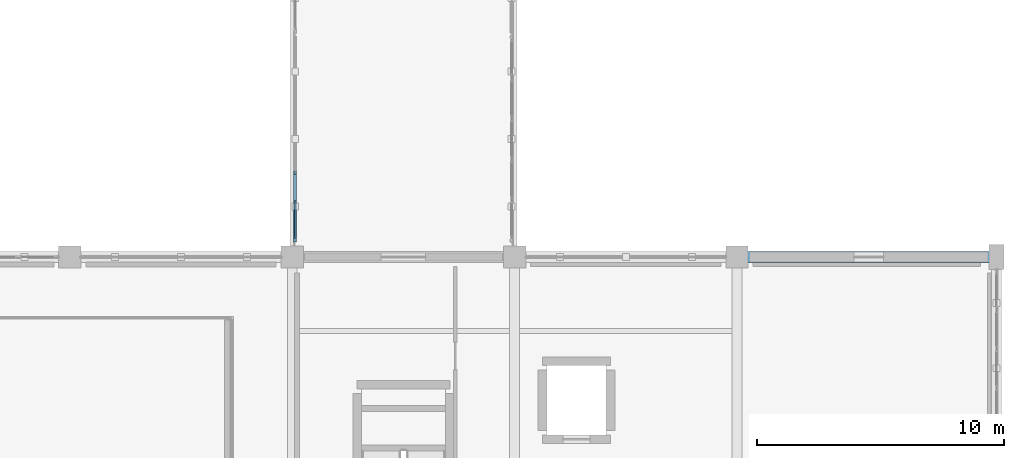
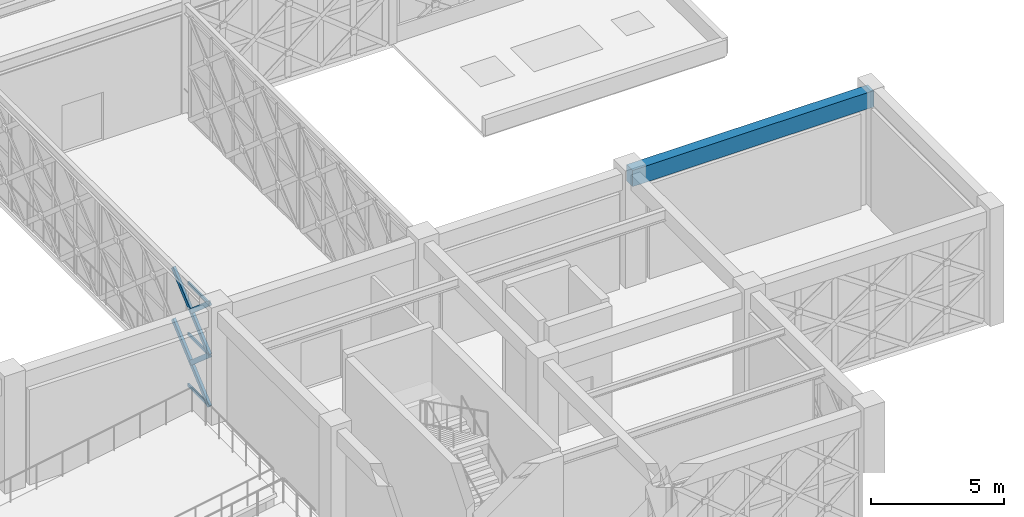
# One storey, part 104 of 166: 7 members, 1 beam, 1 element without a shape of its own.
"""IFC4 building model written with IfcOpenShell, lengths in metres."""

from ifc_helpers import new_model, si_unit, direction, frame, origin, origin_2d, place, context, subcontext, project, spatial, rectangle, hollow_rectangle, extrude, material, material_profile, profile_set, type_object, element, aggregate, save


model = new_model("IFC4")

# Units and contexts
model_context = context("Model", 3, precision=1e-05, world=origin(), true_north=direction((0.0, 1.0)))
body_context = subcontext(model_context, "Body", "Model", "MODEL_VIEW")
ifc_project = project(units=[si_unit("LENGTHUNIT", "METRE"), si_unit("AREAUNIT", "SQUARE_METRE"), si_unit("VOLUMEUNIT", "CUBIC_METRE"), si_unit("PLANEANGLEUNIT", "RADIAN"), si_unit("MASSUNIT", "GRAM", prefix="KILO")], contexts=[model_context])

# Site, building, storey
site_placement = place(None, origin())
site = spatial("IfcSite", under=ifc_project, at=site_placement, CompositionType="ELEMENT")
building_placement = place(site_placement, origin())
building = spatial("IfcBuilding", under=site, at=building_placement, Name="Haizhuo Lancet Aquarium", CompositionType="ELEMENT")
storey_placement = place(building_placement, frame((0.0, 0.0, 5.39990234375)))
storey = spatial("IfcBuildingStorey", under=building, at=storey_placement, Name="L01", CompositionType="ELEMENT", Elevation=5.39990234375)

# Beam
ifc_material_1 = material(Name="Concrete C40/50", Category="concrete")
ifc_material_profile_1 = material_profile(ifc_material_1, rectangle(XDim=0.449951171875, YDim=0.75, at=origin_2d()), Name="RC-BM 450x750")
ifc_profile_set_1 = profile_set([ifc_material_profile_1], Name="Concrete C40/50")
beam_type = type_object("IfcBeamType", Name="BM-RC-450x750", PredefinedType="BEAM", material=ifc_profile_set_1)
beam_placement = place(storey_placement, frame((72.0, -9.0, 4.76513671875), z_axis=(1.0, 0.0, 0.0), x_axis=(0.0, 1.0, 0.0)))
element("IfcBeam", 1, at=beam_placement, inside=storey, type_object=beam_type, Name="L01 V3 primary girder BM-L01-V3-030", PredefinedType="BEAM", context=body_context, shape_type="SweptSolid", body=[
    extrude(rectangle(XDim=0.449951171875, YDim=0.75, at=origin_2d()), origin(), (0.0, 0.0, 1.0), 10.5),
])

# Curtain wall, members
ifc_material_2 = material(Name="Aluminium 6063-T6", Category="aluminium")
curtain_wall_type = type_object("IfcCurtainWallType", Name="CWO-8200x4750", PredefinedType="NOTDEFINED", material=ifc_material_2)
curtain_wall_placement = place(storey_placement, origin())
curtain_wall = element("IfcCurtainWall", 2, at=curtain_wall_placement, inside=storey, type_object=curtain_wall_type, Name="L01 curtain wall CW-SB-02-W1", PredefinedType="NOTDEFINED")
ifc_material_profile_2 = material_profile(ifc_material_2, hollow_rectangle(XDim=0.06494140625, YDim=0.139892578125, WallThickness=0.00390625, at=origin_2d()), Name="ALU-T 65x140x4")
ifc_profile_set_2 = profile_set([ifc_material_profile_2], Name="Aluminium 6063-T6")
member_type_1 = type_object("IfcMemberType", Name="CW-TRN-1", PredefinedType="NOTDEFINED", material=ifc_profile_set_2)
member_1_placement = place(storey_placement, frame((54.1201171875, -8.2548828125, 0.033203125), z_axis=(0.0, 1.0, 0.0), x_axis=(-1.0, 0.0, 0.0)))
member_1 = element("IfcMember", 3, at=member_1_placement, type_object=member_type_1, Name="CWO-82x47 transom 1.1", ObjectType="TRANSOM", PredefinedType="USERDEFINED", context=body_context, shape_type="SweptSolid", body=[
    extrude(hollow_rectangle(XDim=0.06494140625, YDim=0.139892578125, WallThickness=0.00390625, at=origin_2d()), origin(), (0.0, 0.0, 1.0), 1.5419921875),
])
member_2_placement = place(storey_placement, frame((54.1201171875, -8.2548828125, 2.375), z_axis=(0.0, 1.0, 0.0), x_axis=(-1.0, 0.0, 0.0)))
member_2 = element("IfcMember", 4, at=member_2_placement, type_object=member_type_1, Name="CWO-82x47 transom 1.2", ObjectType="TRANSOM", PredefinedType="USERDEFINED", context=body_context, shape_type="SweptSolid", body=[
    extrude(hollow_rectangle(XDim=0.06494140625, YDim=0.139892578125, WallThickness=0.00390625, at=origin_2d()), origin(), (0.0, 0.0, 1.0), 1.5419921875),
])
member_3_placement = place(storey_placement, frame((54.1201171875, -8.2548828125, 4.717041015625), z_axis=(0.0, 1.0, 0.0), x_axis=(-1.0, 0.0, 0.0)))
member_3 = element("IfcMember", 5, at=member_3_placement, type_object=member_type_1, Name="CWO-82x47 transom 1.3", ObjectType="TRANSOM", PredefinedType="USERDEFINED", context=body_context, shape_type="SweptSolid", body=[
    extrude(hollow_rectangle(XDim=0.06494140625, YDim=0.139892578125, WallThickness=0.00390625, at=origin_2d()), origin(), (0.0, 0.0, 1.0), 1.5419921875),
])
aggregate(curtain_wall, [member_1, member_2, member_3])

# Members
ifc_material_3 = material(Name="Steel S355", Category="steel")
ifc_material_profile_3 = material_profile(ifc_material_3, hollow_rectangle(XDim=0.1201171875, YDim=0.199951171875, WallThickness=0.008056640625, at=origin_2d()), Name="RHS 120x200x8")
ifc_profile_set_3 = profile_set([ifc_material_profile_3], Name="Steel S355")
member_type_2 = type_object("IfcMemberType", Name="MEM-LB-RHS120x200", PredefinedType="BRACE", material=ifc_profile_set_3)
member_4_placement = place(storey_placement, frame((54.1201171875, -8.320068359375, 0.0), z_axis=(0.0, 0.754831923432, 0.655918262719), x_axis=(-1.0, 0.0, 0.0)))
element("IfcMember", 6, at=member_4_placement, inside=storey, type_object=member_type_2, Name="Gothic lancet continuous diagonal brace CW-SB-02-W1 1A", PredefinedType="BRACE", context=body_context, shape_type="SweptSolid", body=[
    extrude(hollow_rectangle(XDim=0.1201171875, YDim=0.199951171875, WallThickness=0.008056640625, at=origin_2d()), origin(), (0.0, 0.0, 1.0), 3.620849609375),
])
member_5_placement = place(storey_placement, frame((54.1201171875, -6.9541015625, 1.18798828125), z_axis=(0.0, -0.754820407976, 0.655931514491), x_axis=(1.0, 0.0, 0.0)))
element("IfcMember", 7, at=member_5_placement, inside=storey, type_object=member_type_2, Name="Gothic lancet split diagonal brace CW-SB-02-W1 1B2", PredefinedType="BRACE", context=body_context, shape_type="SweptSolid", body=[
    extrude(hollow_rectangle(XDim=0.1201171875, YDim=0.199951171875, WallThickness=0.008056640625, at=origin_2d()), origin(), (0.0, 0.0, 1.0), 1.8095703125),
])
member_6_placement = place(storey_placement, frame((54.1201171875, -8.320068359375, 2.375), z_axis=(0.0, 0.754831923432, 0.655918262719), x_axis=(-1.0, 0.0, 0.0)))
element("IfcMember", 8, at=member_6_placement, inside=storey, type_object=member_type_2, Name="Gothic lancet continuous diagonal brace CW-SB-02-W1 2A", PredefinedType="BRACE", context=body_context, shape_type="SweptSolid", body=[
    extrude(hollow_rectangle(XDim=0.1201171875, YDim=0.199951171875, WallThickness=0.008056640625, at=origin_2d()), origin(), (0.0, 0.0, 1.0), 3.620849609375),
])
member_7_placement = place(storey_placement, frame((54.1201171875, -6.9541015625, 3.56298828125), z_axis=(0.0, -0.754820407976, 0.655931514491), x_axis=(1.0, 0.0, 0.0)))
element("IfcMember", 9, at=member_7_placement, inside=storey, type_object=member_type_2, Name="Gothic lancet split diagonal brace CW-SB-02-W1 2B2", PredefinedType="BRACE", context=body_context, shape_type="SweptSolid", body=[
    extrude(hollow_rectangle(XDim=0.1201171875, YDim=0.199951171875, WallThickness=0.008056640625, at=origin_2d()), origin(), (0.0, 0.0, 1.0), 1.8095703125),
])

save(model, "model.ifc")
